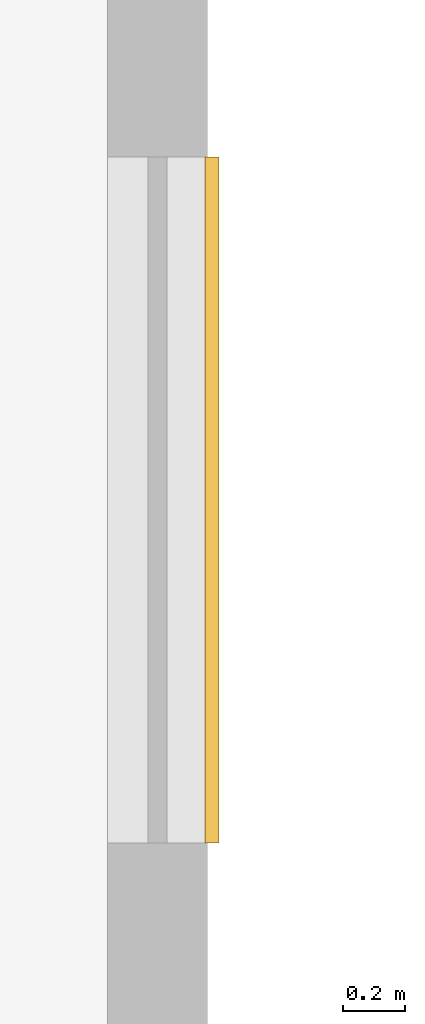
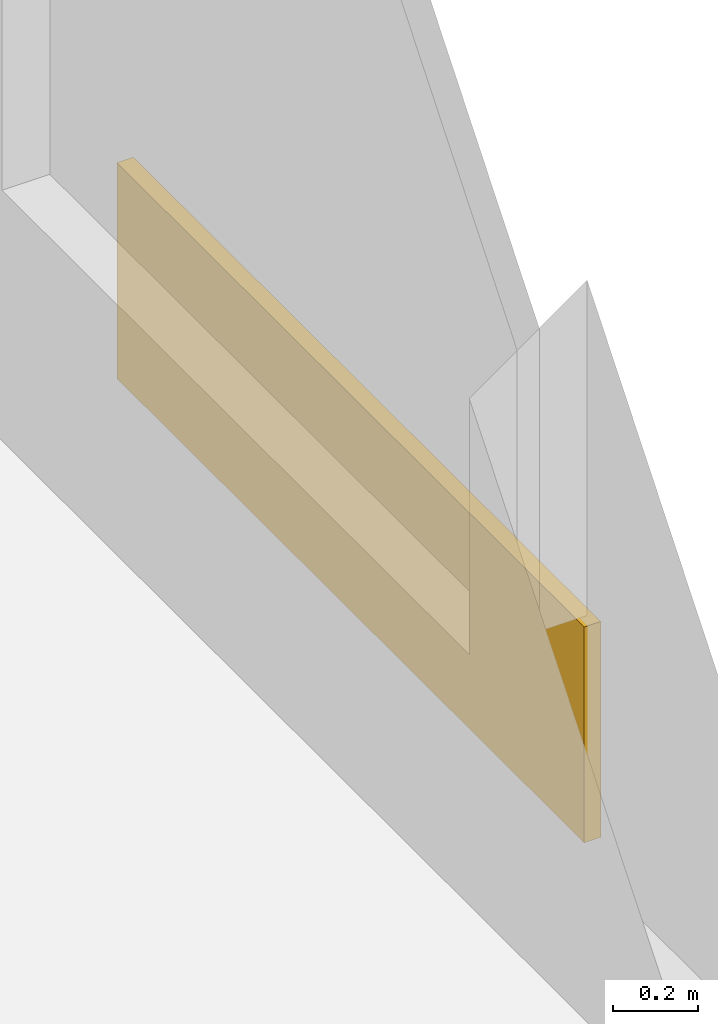
# One storey, part 16 of 16: 1 covering.
"""IFC4 building model written with IfcOpenShell, lengths in metres."""

from ifc_helpers import new_model, si_unit, direction, frame, origin, origin_2d, place, context, subcontext, project, spatial, rectangle, extrude, source, transform, mapped, material, layer, layer_set, type_object, element, save


model = new_model("IFC4")

# Units and contexts
model_context = context("Model", 3, precision=1e-05, world=origin(), true_north=direction((0.0, 1.0)))
body_context = subcontext(model_context, "Body", "Model", "MODEL_VIEW")
ifc_project = project(units=[si_unit("LENGTHUNIT", "METRE"), si_unit("AREAUNIT", "SQUARE_METRE"), si_unit("VOLUMEUNIT", "CUBIC_METRE"), si_unit("PLANEANGLEUNIT", "RADIAN"), si_unit("MASSUNIT", "GRAM", prefix="KILO")], contexts=[model_context])

# Site, building, storey
site_placement = place(None, origin())
site = spatial("IfcSite", under=ifc_project, at=site_placement, CompositionType="ELEMENT")
building_placement = place(site_placement, origin())
building = spatial("IfcBuilding", under=site, at=building_placement, Name="Vardaveli Station Tower", CompositionType="ELEMENT")
storey_placement = place(building_placement, frame((0.0, 0.0, 199.800048828125)))
storey = spatial("IfcBuildingStorey", under=building, at=storey_placement, Name="L51", CompositionType="ELEMENT", Elevation=199.800048828125)

# Covering
ifc_material = material(Name="Ventilated honed travertine stone cladding", Category="masonry")
ifc_layer = layer(ifc_material, 0.044921875, Name="Ventilated honed travertine stone cladding")
ifc_layer_set = layer_set([ifc_layer], Name="Ventilated honed travertine stone cladding")
covering_type = type_object("IfcCoveringType", Name="COV-CLAD-TR45", PredefinedType="CLADDING", material=ifc_layer_set)
shared_shape = source(origin(), body_context, "Body", "SweptSolid", [
    extrude(rectangle(XDim=2.199951171875, YDim=0.044921875, at=origin_2d()), origin(), (0.0, 0.0, 1.0), 0.6201171875),
])
covering_placement = place(storey_placement, frame((57.91455078125, 39.9951171875, 0.06982421875), z_axis=(0.0, 0.0, 1.0), x_axis=(0.0, 1.0, 0.0)))
element("IfcCovering", 1, at=covering_placement, inside=storey, type_object=covering_type, Name="CLD-TR-L51-E", PredefinedType="CLADDING", context=body_context, shape_type="MappedRepresentation", body=[
    mapped(shared_shape, transform((0.0, 0.0, 0.0), scale=1.0)),
])

save(model, "model.ifc")
